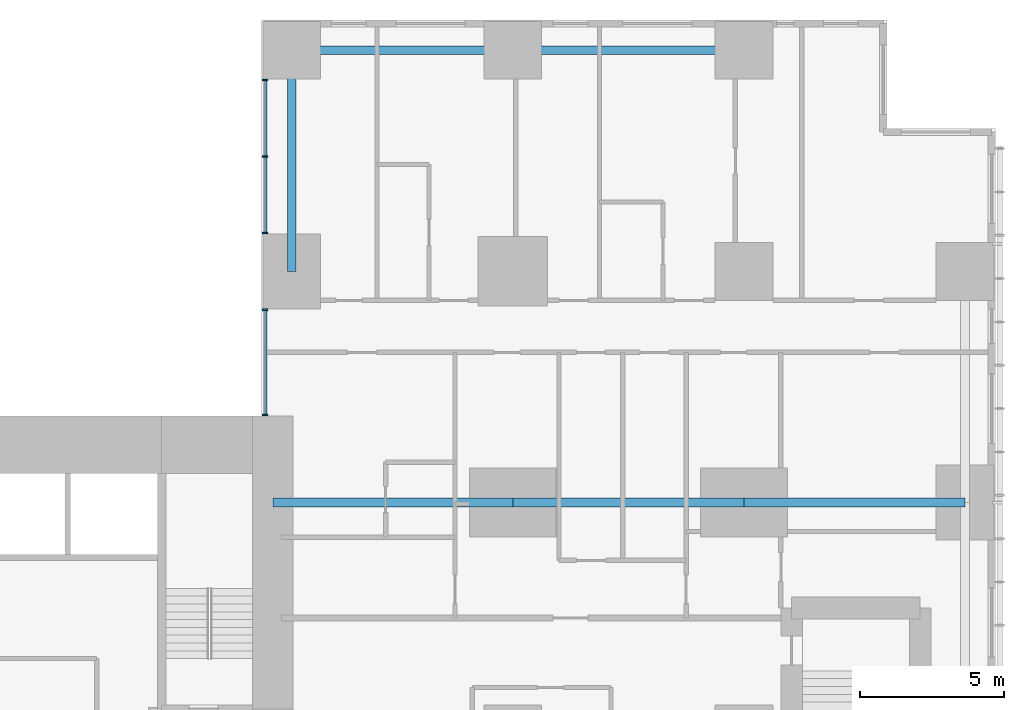
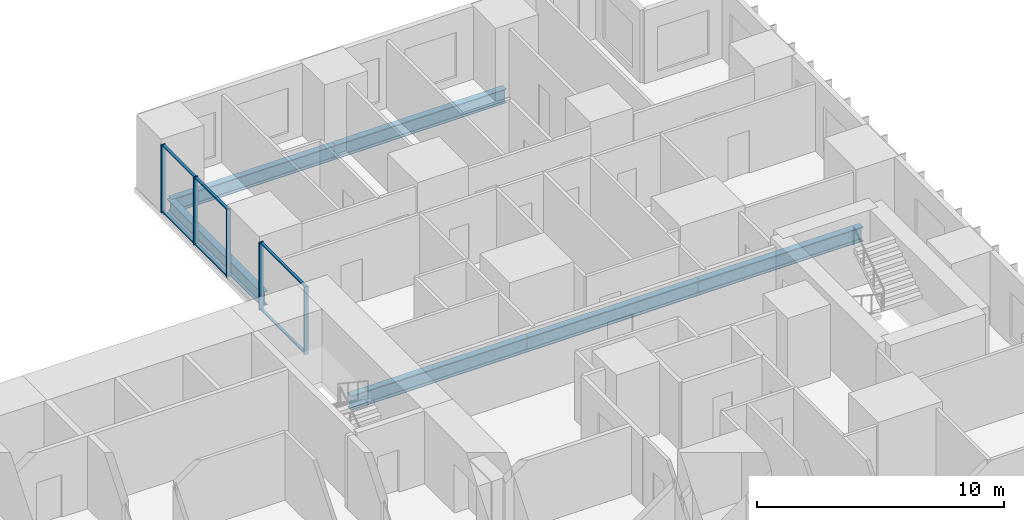
# One storey, part 5 of 20: 11 members, 6 beams, 2 elements without a shape of their own.
"""IFC4 building model written with IfcOpenShell, lengths in metres."""

from ifc_helpers import new_model, si_unit, direction, frame, origin, origin_2d, place, context, subcontext, project, spatial, rectangle, i_section, extrude, material, layer, layer_set, material_profile, profile_set, type_object, element, aggregate, save


model = new_model("IFC4")

# Units and contexts
model_context = context("Model", 3, precision=1e-05, world=origin(), true_north=direction((0.0, 1.0)))
body_context = subcontext(model_context, "Body", "Model", "MODEL_VIEW")
ifc_project = project(units=[si_unit("LENGTHUNIT", "METRE"), si_unit("AREAUNIT", "SQUARE_METRE"), si_unit("VOLUMEUNIT", "CUBIC_METRE"), si_unit("PLANEANGLEUNIT", "RADIAN"), si_unit("MASSUNIT", "GRAM", prefix="KILO")], contexts=[model_context])

# Site, building, storey
site_placement = place(None, origin())
site = spatial("IfcSite", under=ifc_project, at=site_placement, CompositionType="ELEMENT")
building_placement = place(site_placement, origin())
building = spatial("IfcBuilding", under=site, at=building_placement, Name="Cleftline Residences", CompositionType="ELEMENT")
storey_placement = place(building_placement, frame((0.0, 0.0, 150.199951171875)))
storey = spatial("IfcBuildingStorey", under=building, at=storey_placement, Name="L39", CompositionType="ELEMENT", Elevation=150.199951171875)

# Beams
ifc_material_1 = material(Name="Steel S355", Category="steel")
ifc_material_profile_1 = material_profile(ifc_material_1, i_section(OverallWidth=0.300048828125, OverallDepth=0.699951171875, WebThickness=0.01708984375, FlangeThickness=0.031982421875, FilletRadius=0.027099609375, at=origin_2d()))
ifc_profile_set_1 = profile_set([ifc_material_profile_1], Name="Steel S355")
beam_type_1 = type_object("IfcBeamType", Name="BEAM HEB 700", PredefinedType="BEAM", material=ifc_profile_set_1)
beam_1_placement = place(storey_placement, frame((58.0, 47.64990234375, -0.599853515625), z_axis=(-1.0, 0.0, 0.0), x_axis=(0.0, -1.0, 0.0)))
element("IfcBeam", 1, at=beam_1_placement, inside=storey, type_object=beam_type_1, Name="Edge beam", PredefinedType="BEAM", context=body_context, shape_type="SweptSolid", body=[
    extrude(i_section(OverallWidth=0.300048828125, OverallDepth=0.699951171875, WebThickness=0.01708984375, FlangeThickness=0.031982421875, FilletRadius=0.027099609375, at=origin_2d()), origin(), (0.0, 0.0, 1.0), 8.0),
])
for number, where, z_axis, x_axis, name in (
    (2, (50.0, 47.64990234375, -0.599853515625), (-1.0, 0.0, 0.0), (0.0, -1.0, 0.0), "Edge beam"),
    (3, (42.35009765625, 47.64990234375, -0.599853515625), (0.0, -1.0, 0.0), (1.0, 0.0, 0.0), "Edge beam"),
):
    element("IfcBeam", number, at=place(storey_placement, frame(where, z_axis=z_axis, x_axis=x_axis)), inside=storey, type_object=beam_type_1, Name=name, PredefinedType="BEAM", context=body_context, shape_type="SweptSolid", body=[
        extrude(i_section(OverallWidth=0.300048828125, OverallDepth=0.699951171875, WebThickness=0.01708984375, FlangeThickness=0.031982421875, FilletRadius=0.027099609375, at=origin_2d()), origin(), (0.0, 0.0, 1.0), 7.64990234375),
    ])
ifc_material_2 = material(Name="Steel S355", Category="steel")
ifc_material_profile_2 = material_profile(ifc_material_2, i_section(OverallWidth=0.303955078125, OverallDepth=0.716064453125, WebThickness=0.02099609375, FlangeThickness=0.0400390625, FilletRadius=0.027099609375, at=origin_2d()))
ifc_profile_set_2 = profile_set([ifc_material_profile_2], Name="Steel S355")
beam_type_2 = type_object("IfcBeamType", Name="BEAM HEM 700", PredefinedType="BEAM", material=ifc_profile_set_2)
beam_2_placement = place(storey_placement, frame((65.64990234375, 32.0, -0.60791015625), z_axis=(-1.0, 0.0, 0.0), x_axis=(0.0, -1.0, 0.0)))
element("IfcBeam", 4, at=beam_2_placement, inside=storey, type_object=beam_type_2, Name="Band beam", PredefinedType="BEAM", context=body_context, shape_type="SweptSolid", body=[
    extrude(i_section(OverallWidth=0.303955078125, OverallDepth=0.716064453125, WebThickness=0.02099609375, FlangeThickness=0.0400390625, FilletRadius=0.027099609375, at=origin_2d()), origin(), (0.0, 0.0, 1.0), 7.64990234375),
])
beam_3_placement = place(storey_placement, frame((58.0, 32.0, -0.60791015625), z_axis=(-1.0, 0.0, 0.0), x_axis=(0.0, -1.0, 0.0)))
element("IfcBeam", 5, at=beam_3_placement, inside=storey, type_object=beam_type_2, Name="Band beam", PredefinedType="BEAM", context=body_context, shape_type="SweptSolid", body=[
    extrude(i_section(OverallWidth=0.303955078125, OverallDepth=0.716064453125, WebThickness=0.02099609375, FlangeThickness=0.0400390625, FilletRadius=0.027099609375, at=origin_2d()), origin(), (0.0, 0.0, 1.0), 8.0),
])
beam_4_placement = place(storey_placement, frame((50.0, 32.0, -0.60791015625), z_axis=(-1.0, 0.0, 0.0), x_axis=(0.0, -1.0, 0.0)))
element("IfcBeam", 6, at=beam_4_placement, inside=storey, type_object=beam_type_2, Name="Band beam", PredefinedType="BEAM", context=body_context, shape_type="SweptSolid", body=[
    extrude(i_section(OverallWidth=0.303955078125, OverallDepth=0.716064453125, WebThickness=0.02099609375, FlangeThickness=0.0400390625, FilletRadius=0.027099609375, at=origin_2d()), origin(), (0.0, 0.0, 1.0), 8.300048828125),
])

# Curtain wall, members
ifc_material_3 = material(Name="Aluminium framed curtain wall", Category="aluminium")
ifc_layer = layer(ifc_material_3, 0.199951171875)
ifc_layer_set = layer_set([ifc_layer], Name="CW1 CLEFT GLAZING")
curtain_wall_type = type_object("IfcCurtainWallType", Name="CW1 CLEFT GLAZING", PredefinedType="NOTDEFINED", material=ifc_layer_set)
curtain_wall_1_placement = place(storey_placement, origin())
curtain_wall_1 = element("IfcCurtainWall", 7, at=curtain_wall_1_placement, inside=storey, type_object=curtain_wall_type, Name="Curtain wall CW1", PredefinedType="NOTDEFINED")
ifc_material_4 = material(Name="Aluminium mullion", Category="aluminium")
ifc_material_profile_3 = material_profile(ifc_material_4, rectangle(XDim=0.199951171875, YDim=0.06005859375, at=origin_2d()))
ifc_profile_set_3 = profile_set([ifc_material_profile_3], Name="Aluminium mullion")
member_type_1 = type_object("IfcMemberType", Name="CW1 MULLION", PredefinedType="MULLION", material=ifc_profile_set_3)
member_1_placement = place(storey_placement, frame((41.425048828125, 46.6201171875, 0.0), z_axis=(0.0, 0.0, 1.0), x_axis=(1.0, 0.0, 0.0)))
member_1 = element("IfcMember", 8, at=member_1_placement, type_object=member_type_1, Name="CW1 mullion 1", PredefinedType="MULLION", context=body_context, shape_type="SweptSolid", body=[
    extrude(rectangle(XDim=0.199951171875, YDim=0.06005859375, at=origin_2d()), origin(), (0.0, 0.0, 1.0), 3.35009765625),
])
member_2_placement = place(storey_placement, frame((41.425048828125, 43.97509765625, 0.0), z_axis=(0.0, 0.0, 1.0), x_axis=(1.0, 0.0, 0.0)))
member_2 = element("IfcMember", 9, at=member_2_placement, type_object=member_type_1, Name="CW1 mullion 2", PredefinedType="MULLION", context=body_context, shape_type="SweptSolid", body=[
    extrude(rectangle(XDim=0.199951171875, YDim=0.06005859375, at=origin_2d()), origin(), (0.0, 0.0, 1.0), 3.35009765625),
])
member_3_placement = place(storey_placement, frame((41.425048828125, 41.330078125, 0.0), z_axis=(0.0, 0.0, 1.0), x_axis=(1.0, 0.0, 0.0)))
member_3 = element("IfcMember", 10, at=member_3_placement, type_object=member_type_1, Name="CW1 mullion 3", PredefinedType="MULLION", context=body_context, shape_type="SweptSolid", body=[
    extrude(rectangle(XDim=0.199951171875, YDim=0.06005859375, at=origin_2d()), origin(), (0.0, 0.0, 1.0), 3.35009765625),
])

curtain_wall_2_placement = place(storey_placement, origin())
curtain_wall_2 = element("IfcCurtainWall", 11, at=curtain_wall_2_placement, inside=storey, type_object=curtain_wall_type, Name="Curtain wall CW1", PredefinedType="NOTDEFINED")
member_4_placement = place(storey_placement, frame((41.425048828125, 38.669921875, 0.0), z_axis=(0.0, 0.0, 1.0), x_axis=(1.0, 0.0, 0.0)))
member_4 = element("IfcMember", 12, at=member_4_placement, type_object=member_type_1, Name="CW1 mullion 1", PredefinedType="MULLION", context=body_context, shape_type="SweptSolid", body=[
    extrude(rectangle(XDim=0.199951171875, YDim=0.06005859375, at=origin_2d()), origin(), (0.0, 0.0, 1.0), 3.35009765625),
])
member_5_placement = place(storey_placement, frame((41.425048828125, 35.030029296875, 0.0), z_axis=(0.0, 0.0, 1.0), x_axis=(1.0, 0.0, 0.0)))
member_5 = element("IfcMember", 13, at=member_5_placement, type_object=member_type_1, Name="CW1 mullion 2", PredefinedType="MULLION", context=body_context, shape_type="SweptSolid", body=[
    extrude(rectangle(XDim=0.199951171875, YDim=0.06005859375, at=origin_2d()), origin(), (0.0, 0.0, 1.0), 3.35009765625),
])

# Member
ifc_material_5 = material(Name="Aluminium transom", Category="aluminium")
ifc_material_profile_4 = material_profile(ifc_material_5, rectangle(XDim=0.1201171875, YDim=0.06005859375, at=origin_2d()))
ifc_profile_set_4 = profile_set([ifc_material_profile_4], Name="Aluminium transom")
member_type_2 = type_object("IfcMemberType", Name="CW1 TRANSOM", PredefinedType="USERDEFINED", material=ifc_profile_set_4)
member_6_placement = place(storey_placement, frame((41.425048828125, 46.590087890625, 0.030029296875), z_axis=(0.0, -1.0, 0.0), x_axis=(1.0, 0.0, 0.0)))
member_6 = element("IfcMember", 14, at=member_6_placement, type_object=member_type_2, Name="CW1 transom 1.1", ObjectType="TRANSOM", PredefinedType="USERDEFINED", context=body_context, shape_type="SweptSolid", body=[
    extrude(rectangle(XDim=0.1201171875, YDim=0.06005859375, at=origin_2d()), origin(), (0.0, 0.0, 1.0), 2.585205078125),
])

member_7_placement = place(storey_placement, frame((41.425048828125, 46.590087890625, 3.320068359375), z_axis=(0.0, -1.0, 0.0), x_axis=(1.0, 0.0, 0.0)))
member_7 = element("IfcMember", 15, at=member_7_placement, type_object=member_type_2, Name="CW1 transom 1.2", ObjectType="TRANSOM", PredefinedType="USERDEFINED", context=body_context, shape_type="SweptSolid", body=[
    extrude(rectangle(XDim=0.1201171875, YDim=0.06005859375, at=origin_2d()), origin(), (0.0, 0.0, 1.0), 2.585205078125),
])

member_8_placement = place(storey_placement, frame((41.425048828125, 43.945068359375, 0.030029296875), z_axis=(0.0, -1.0, 0.0), x_axis=(1.0, 0.0, 0.0)))
member_8 = element("IfcMember", 16, at=member_8_placement, type_object=member_type_2, Name="CW1 transom 2.1", ObjectType="TRANSOM", PredefinedType="USERDEFINED", context=body_context, shape_type="SweptSolid", body=[
    extrude(rectangle(XDim=0.1201171875, YDim=0.06005859375, at=origin_2d()), origin(), (0.0, 0.0, 1.0), 2.5849609375),
])

member_9_placement = place(storey_placement, frame((41.425048828125, 43.945068359375, 3.320068359375), z_axis=(0.0, -1.0, 0.0), x_axis=(1.0, 0.0, 0.0)))
member_9 = element("IfcMember", 17, at=member_9_placement, type_object=member_type_2, Name="CW1 transom 2.2", ObjectType="TRANSOM", PredefinedType="USERDEFINED", context=body_context, shape_type="SweptSolid", body=[
    extrude(rectangle(XDim=0.1201171875, YDim=0.06005859375, at=origin_2d()), origin(), (0.0, 0.0, 1.0), 2.5849609375),
])

aggregate(curtain_wall_1, [member_1, member_2, member_3, member_6, member_7, member_8, member_9])

member_10_placement = place(storey_placement, frame((41.425048828125, 38.639892578125, 0.030029296875), z_axis=(0.0, -1.0, 0.0), x_axis=(1.0, 0.0, 0.0)))
member_10 = element("IfcMember", 18, at=member_10_placement, type_object=member_type_2, Name="CW1 transom 1.1", ObjectType="TRANSOM", PredefinedType="USERDEFINED", context=body_context, shape_type="SweptSolid", body=[
    extrude(rectangle(XDim=0.1201171875, YDim=0.06005859375, at=origin_2d()), origin(), (0.0, 0.0, 1.0), 3.579833984375),
])

member_11_placement = place(storey_placement, frame((41.425048828125, 38.639892578125, 3.320068359375), z_axis=(0.0, -1.0, 0.0), x_axis=(1.0, 0.0, 0.0)))
member_11 = element("IfcMember", 19, at=member_11_placement, type_object=member_type_2, Name="CW1 transom 1.2", ObjectType="TRANSOM", PredefinedType="USERDEFINED", context=body_context, shape_type="SweptSolid", body=[
    extrude(rectangle(XDim=0.1201171875, YDim=0.06005859375, at=origin_2d()), origin(), (0.0, 0.0, 1.0), 3.579833984375),
])

aggregate(curtain_wall_2, [member_4, member_5, member_10, member_11])

save(model, "model.ifc")
